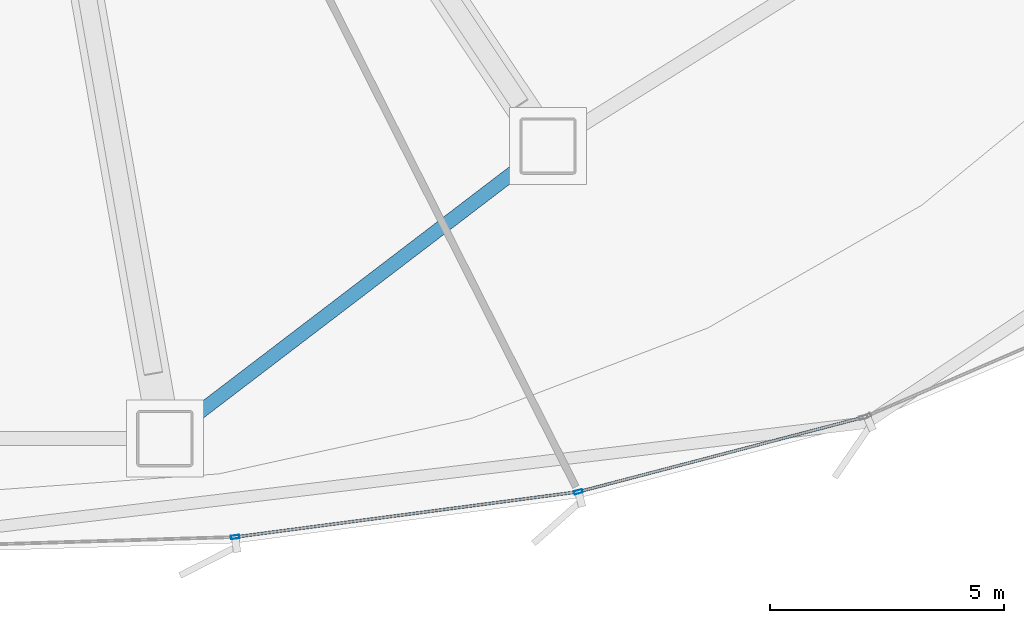
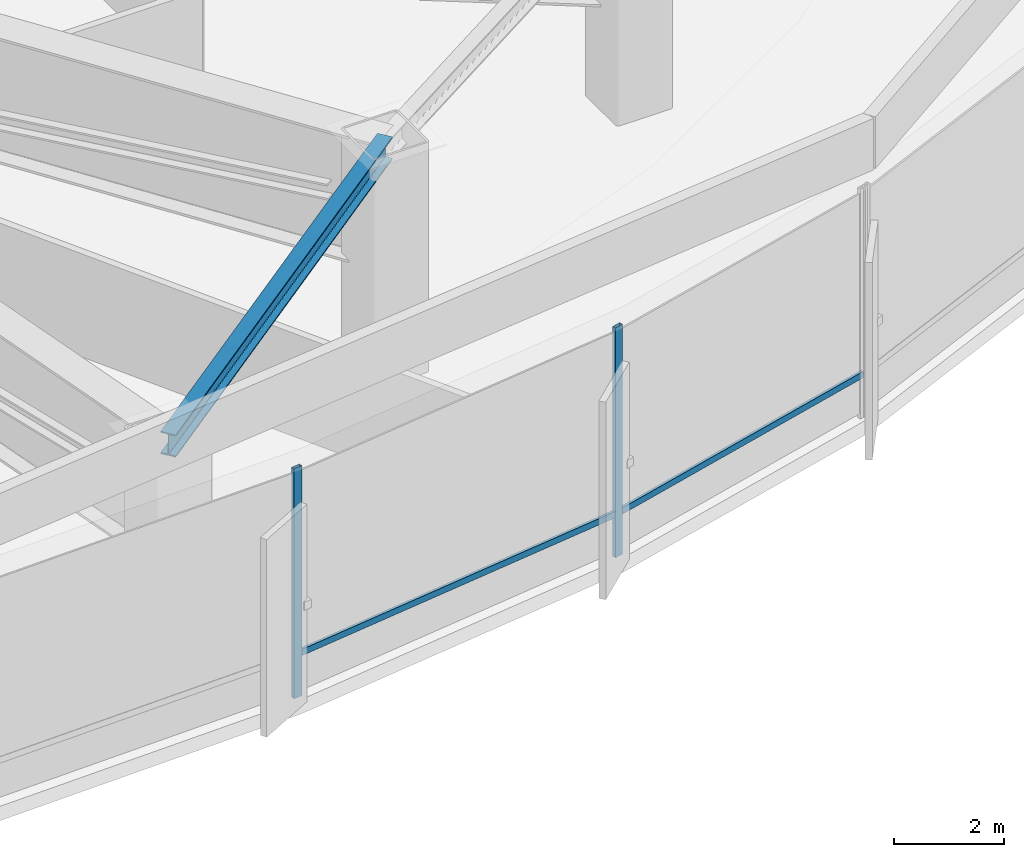
# One storey, part 10 of 36: 4 members, 1 beam, 1 element without a shape of its own.
"""IFC4 building model written with IfcOpenShell, lengths in metres."""

from ifc_helpers import new_model, si_unit, direction, frame, origin, origin_2d, place, context, subcontext, project, spatial, hollow_rectangle, i_section, extrude, source, transform, mapped, material, layer, layer_set, material_profile, profile_set, type_object, element, aggregate, save


model = new_model("IFC4")

# Units and contexts
model_context = context("Model", 3, precision=1e-05, world=origin(), true_north=direction((0.0, 1.0)))
body_context = subcontext(model_context, "Body", "Model", "MODEL_VIEW")
ifc_project = project(units=[si_unit("LENGTHUNIT", "METRE"), si_unit("AREAUNIT", "SQUARE_METRE"), si_unit("VOLUMEUNIT", "CUBIC_METRE"), si_unit("PLANEANGLEUNIT", "RADIAN"), si_unit("MASSUNIT", "GRAM", prefix="KILO"), si_unit("THERMODYNAMICTEMPERATUREUNIT", "KELVIN")], contexts=[model_context])

# Site, building, storey
site_placement = place(None, origin())
site = spatial("IfcSite", under=ifc_project, at=site_placement, CompositionType="ELEMENT")
building_placement = place(site_placement, origin())
building = spatial("IfcBuilding", under=site, at=building_placement, Name="Kethvar Cultural Tower", CompositionType="ELEMENT")
storey_placement = place(building_placement, frame((0.0, 0.0, 24.0)))
storey = spatial("IfcBuildingStorey", under=building, at=storey_placement, Name="L05", CompositionType="ELEMENT", Elevation=24.0)

# Beam
ifc_material_1 = material(Name="Steel S355J2", Category="steel")
ifc_material_profile_1 = material_profile(ifc_material_1, i_section(OverallWidth=0.300048828125, OverallDepth=0.5, WebThickness=0.014404296875, FlangeThickness=0.028076171875, FilletRadius=0.027099609375, at=origin_2d()), Name="Steel S355J2 — HEB500")
ifc_profile_set_1 = profile_set([ifc_material_profile_1], Name="Steel S355J2 — HEB500")
beam_type = type_object("IfcBeamType", Name="BM-SP500", PredefinedType="SPANDREL", material=ifc_profile_set_1)
shared_shape_1 = source(origin(), body_context, "Body", "SweptSolid", [
    extrude(i_section(OverallWidth=0.300048828125, OverallDepth=0.5, WebThickness=0.014404296875, FlangeThickness=0.028076171875, FilletRadius=0.027099609375, at=origin_2d()), origin(), (0.0, 0.0, 1.0), 10.279052734375),
])
beam_placement = place(storey_placement, frame((51.199951171875, 2.75, 4.865966796875), z_axis=(0.794869246576, 0.606780751876, 0.0), x_axis=(-0.606780751876, 0.794869246576, 0.0)))
element("IfcBeam", 1, at=beam_placement, inside=storey, type_object=beam_type, Name="L05 Podium Ring Beam 13", PredefinedType="SPANDREL", context=body_context, shape_type="MappedRepresentation", body=[
    mapped(shared_shape_1, transform((0.0, 0.0, 0.0), scale=1.0)),
])

# Curtain wall, members
ifc_material_2 = material(Name="Aluminium 6063-T6", Category="aluminium")
ifc_layer = layer(ifc_material_2, 0.179931640625, Name="Aluminium 6063-T6", Category="aluminium")
ifc_layer_set = layer_set([ifc_layer], Name="Aluminium 6063-T6 (180 mm)")
curtain_wall_type = type_object("IfcCurtainWallType", Name="CW-SYS-01-POD", PredefinedType="NOTDEFINED", material=ifc_layer_set)
curtain_wall_placement = place(storey_placement, origin())
curtain_wall = element("IfcCurtainWall", 2, at=curtain_wall_placement, inside=storey, type_object=curtain_wall_type, Name="L05 Curtain Wall Run 05", PredefinedType="NOTDEFINED")
ifc_material_profile_2 = material_profile(ifc_material_2, hollow_rectangle(XDim=0.06005859375, YDim=0.139892578125, WallThickness=0.0048828125, at=origin_2d()), Name="Aluminium 6063-T6 — RHS140x60x5")
ifc_profile_set_2 = profile_set([ifc_material_profile_2], Name="Aluminium 6063-T6 — RHS140x60x5")
member_type_1 = type_object("IfcMemberType", Name="CW-SYS-01-POD-TRN", PredefinedType="USERDEFINED", material=ifc_profile_set_2)
shared_shape_2 = source(origin(), body_context, "Body", "SweptSolid", [
    extrude(hollow_rectangle(XDim=0.06005859375, YDim=0.139892578125, WallThickness=0.0048828125, at=origin_2d()), origin(), (0.0, 0.0, 1.0), 7.28955078125),
])
member_1_placement = place(storey_placement, frame((52.75244140625, 0.658935546875, 0.949951171875), z_axis=(0.991428284846, 0.130652041726, 0.0), x_axis=(-0.130652041726, 0.991428284846, 0.0)))
member_1 = element("IfcMember", 3, at=member_1_placement, type_object=member_type_1, Name="CW-L05-R05 Transom 5", ObjectType="TRANSOM", PredefinedType="USERDEFINED", context=body_context, shape_type="MappedRepresentation", body=[
    mapped(shared_shape_2, transform((0.0, 0.0, 0.0), scale=1.0)),
])
shared_shape_3 = source(origin(), body_context, "Body", "SweptSolid", [
    extrude(hollow_rectangle(XDim=0.06005859375, YDim=0.139892578125, WallThickness=0.0048828125, at=origin_2d()), origin(), (0.0, 0.0, 1.0), 6.221435546875),
])
member_2_placement = place(storey_placement, frame((60.069091796875, 1.62890625, 0.949951171875), z_axis=(0.967458727109, 0.253028874519, 0.0), x_axis=(-0.253028874519, 0.967458727109, 0.0)))
member_2 = element("IfcMember", 4, at=member_2_placement, type_object=member_type_1, Name="CW-L05-R05 Transom 6", ObjectType="TRANSOM", PredefinedType="USERDEFINED", context=body_context, shape_type="MappedRepresentation", body=[
    mapped(shared_shape_3, transform((0.0, 0.0, 0.0), scale=1.0)),
])
ifc_material_profile_3 = material_profile(ifc_material_2, hollow_rectangle(XDim=0.074951171875, YDim=0.179931640625, WallThickness=0.006103515625, at=origin_2d()), Name="Aluminium 6063-T6 — RHS180x75x6")
ifc_profile_set_3 = profile_set([ifc_material_profile_3], Name="Aluminium 6063-T6 — RHS180x75x6")
member_type_2 = type_object("IfcMemberType", Name="CW-SYS-01-POD-MUL", PredefinedType="MULLION", material=ifc_profile_set_3)
shared_shape_4 = source(origin(), body_context, "Body", "SweptSolid", [
    extrude(hollow_rectangle(XDim=0.074951171875, YDim=0.179931640625, WallThickness=0.006103515625, at=origin_2d()), origin(), (0.0, 0.0, 1.0), 5.1201171875),
])
member_3_placement = place(storey_placement, frame((52.698974609375, 0.652099609375, 0.0), z_axis=(0.0, 0.0, 1.0), x_axis=(-0.130647319086, 0.991428907192, 0.0)))
member_3 = element("IfcMember", 5, at=member_3_placement, type_object=member_type_2, Name="CW-L05-R05 Mullion 5", PredefinedType="MULLION", context=body_context, shape_type="MappedRepresentation", body=[
    mapped(shared_shape_4, transform((0.0, 0.0, 0.0), scale=1.0)),
])
member_4_placement = place(storey_placement, frame((60.01708984375, 1.615234375, 0.0), z_axis=(0.0, 0.0, 1.0), x_axis=(-0.253031946887, 0.967457923558, 0.0)))
member_4 = element("IfcMember", 6, at=member_4_placement, type_object=member_type_2, Name="CW-L05-R05 Mullion 6", PredefinedType="MULLION", context=body_context, shape_type="MappedRepresentation", body=[
    mapped(shared_shape_4, transform((0.0, 0.0, 0.0), scale=1.0)),
])
aggregate(curtain_wall, [member_3, member_4, member_1, member_2])

save(model, "model.ifc")
